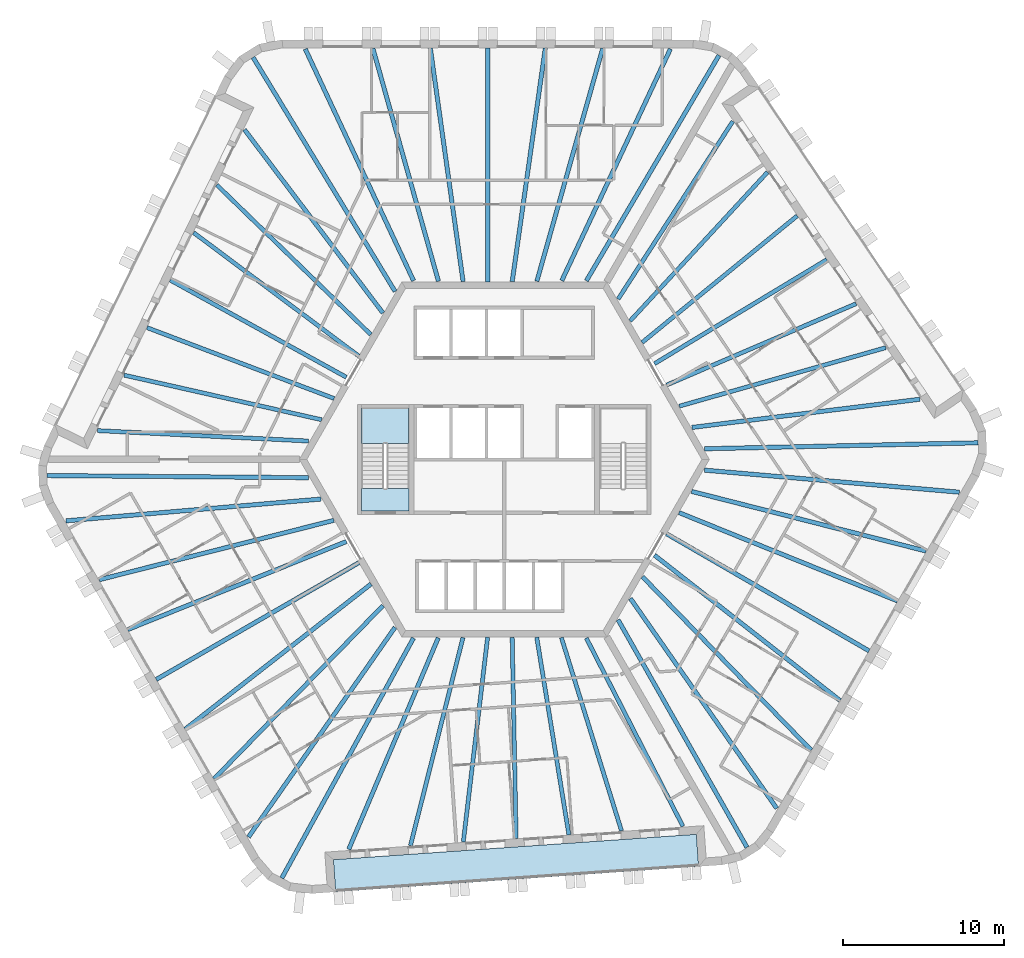
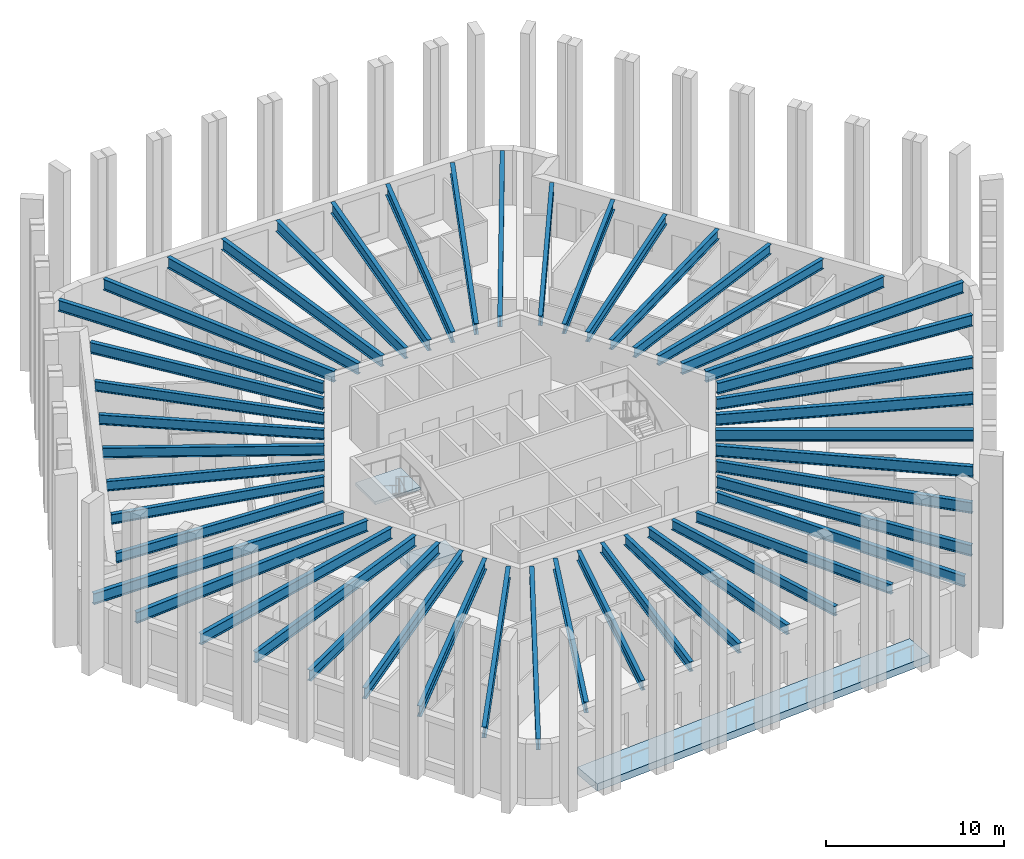
# One storey, part 1 of 13: 48 beams, 3 slabs, 1 element without a shape of its own.
"""IFC4 building model written with IfcOpenShell, lengths in metres."""

from ifc_helpers import new_model, si_unit, direction, frame, origin, origin_2d, place, context, subcontext, project, spatial, polyline, i_section, outline, extrude, material, layer, layer_set, material_profile, profile_set, type_object, element, aggregate, save


model = new_model("IFC4")

# Units and contexts
model_context = context("Model", 3, precision=1e-05, world=origin(), true_north=direction((0.0, 1.0)))
body_context = subcontext(model_context, "Body", "Model", "MODEL_VIEW")
ifc_project = project(units=[si_unit("LENGTHUNIT", "METRE"), si_unit("AREAUNIT", "SQUARE_METRE"), si_unit("VOLUMEUNIT", "CUBIC_METRE"), si_unit("PLANEANGLEUNIT", "RADIAN"), si_unit("MASSUNIT", "GRAM", prefix="KILO")], contexts=[model_context])

# Site, building, storey
site_placement = place(None, origin())
site = spatial("IfcSite", under=ifc_project, at=site_placement, CompositionType="ELEMENT")
building_placement = place(site_placement, origin())
building = spatial("IfcBuilding", under=site, at=building_placement, Name="Tarnside Tower", CompositionType="ELEMENT")
storey_placement = place(building_placement, frame((0.0, 0.0, 256.199951171875)))
storey = spatial("IfcBuildingStorey", under=building, at=storey_placement, Name="L61", CompositionType="ELEMENT", Elevation=256.199951171875)

# Beams
ifc_material_1 = material(Name="Steel S355", Category="steel")
ifc_material_profile_1 = material_profile(ifc_material_1, i_section(OverallWidth=0.2529296875, OverallDepth=0.677978515625, WebThickness=0.01171875, FlangeThickness=0.01611328125, FilletRadius=0.01513671875, at=origin_2d()), Name="UB 686x254x125")
ifc_profile_set_1 = profile_set([ifc_material_profile_1], Name="Steel S355")
beam_type_1 = type_object("IfcBeamType", Name="Floor beam UB 686x254x125", PredefinedType="BEAM", material=ifc_profile_set_1)
beam_1_placement = place(storey_placement, frame((-17.811279296875, 17.002197265625, 3.4111328125), z_axis=(0.717190986424, -0.696876666988, 0.0), x_axis=(0.696876666988, 0.717190986424, 0.0)))
element("IfcBeam", 1, at=beam_1_placement, inside=storey, type_object=beam_type_1, Name="Floor beam F2.02", PredefinedType="BEAM", context=body_context, shape_type="SweptSolid", body=[
    extrude(i_section(OverallWidth=0.2529296875, OverallDepth=0.677978515625, WebThickness=0.01171875, FlangeThickness=0.01611328125, FilletRadius=0.01513671875, at=origin_2d()), origin(), (0.0, 0.0, 1.0), 13.2919921875),
])
beam_2_placement = place(storey_placement, frame((-19.25, 14.0498046875, 3.4111328125), z_axis=(0.801006417676, -0.598655759883, 0.0), x_axis=(0.598655759883, 0.801006417676, 0.0)))
element("IfcBeam", 2, at=beam_2_placement, inside=storey, type_object=beam_type_1, Name="Floor beam F2.03", PredefinedType="BEAM", context=body_context, shape_type="SweptSolid", body=[
    extrude(i_section(OverallWidth=0.2529296875, OverallDepth=0.677978515625, WebThickness=0.01171875, FlangeThickness=0.01611328125, FilletRadius=0.01513671875, at=origin_2d()), origin(), (0.0, 0.0, 1.0), 12.764892578125),
])
beam_3_placement = place(storey_placement, frame((-20.70458984375, 11.111572265625, 3.4111328125), z_axis=(0.875666768762, -0.482915841619, 0.0), x_axis=(0.482915841619, 0.875666768762, 0.0)))
element("IfcBeam", 3, at=beam_3_placement, inside=storey, type_object=beam_type_1, Name="Floor beam F2.04", PredefinedType="BEAM", context=body_context, shape_type="SweptSolid", body=[
    extrude(i_section(OverallWidth=0.2529296875, OverallDepth=0.677978515625, WebThickness=0.01171875, FlangeThickness=0.01611328125, FilletRadius=0.01513671875, at=origin_2d()), origin(), (0.0, 0.0, 1.0), 12.468994140625),
])
beam_4_placement = place(storey_placement, frame((-22.141357421875, 8.165771484375, 3.4111328125), z_axis=(0.935116350489, -0.354340811998, 0.0), x_axis=(0.354340811998, 0.935116350489, 0.0)))
element("IfcBeam", 4, at=beam_4_placement, inside=storey, type_object=beam_type_1, Name="Floor beam F2.05", PredefinedType="BEAM", context=body_context, shape_type="SweptSolid", body=[
    extrude(i_section(OverallWidth=0.2529296875, OverallDepth=0.677978515625, WebThickness=0.01171875, FlangeThickness=0.01611328125, FilletRadius=0.01513671875, at=origin_2d()), origin(), (0.0, 0.0, 1.0), 12.399169921875),
])
beam_5_placement = place(storey_placement, frame((-23.556884765625, 5.2197265625, 3.4111328125), z_axis=(0.975445185376, -0.220242344534, 0.0), x_axis=(0.220242344534, 0.975445185376, 0.0)))
element("IfcBeam", 5, at=beam_5_placement, inside=storey, type_object=beam_type_1, Name="Floor beam F2.06", PredefinedType="BEAM", context=body_context, shape_type="SweptSolid", body=[
    extrude(i_section(OverallWidth=0.2529296875, OverallDepth=0.677978515625, WebThickness=0.01171875, FlangeThickness=0.01611328125, FilletRadius=0.01513671875, at=origin_2d()), origin(), (0.0, 0.0, 1.0), 12.538330078125),
])
beam_6_placement = place(storey_placement, frame((-25.214599609375, 1.7841796875, 3.4111328125), z_axis=(0.998783137237, -0.049317793651, 0.0), x_axis=(0.049317793651, 0.998783137237, 0.0)))
element("IfcBeam", 6, at=beam_6_placement, inside=storey, type_object=beam_type_1, Name="Floor beam F2.07", PredefinedType="BEAM", context=body_context, shape_type="SweptSolid", body=[
    extrude(i_section(OverallWidth=0.2529296875, OverallDepth=0.677978515625, WebThickness=0.01171875, FlangeThickness=0.01611328125, FilletRadius=0.01513671875, at=origin_2d()), origin(), (0.0, 0.0, 1.0), 13.103515625),
])
beam_7_placement = place(storey_placement, frame((-5.818603515625, -23.92626953125, 3.4111328125), z_axis=(0.244907502604, 0.969546448175, 0.0), x_axis=(-0.969546448175, 0.244907502604, 0.0)))
element("IfcBeam", 7, at=beam_7_placement, inside=storey, type_object=beam_type_1, Name="Floor beam F4.02", PredefinedType="BEAM", context=body_context, shape_type="SweptSolid", body=[
    extrude(i_section(OverallWidth=0.2529296875, OverallDepth=0.677978515625, WebThickness=0.01171875, FlangeThickness=0.01611328125, FilletRadius=0.01513671875, at=origin_2d()), origin(), (0.0, 0.0, 1.0), 13.292236328125),
])
beam_8_placement = place(storey_placement, frame((-2.54248046875, -23.69580078125, 3.4111328125), z_axis=(0.117949762105, 0.993019563563, 0.0), x_axis=(-0.993019563563, 0.117949762105, 0.0)))
element("IfcBeam", 8, at=beam_8_placement, inside=storey, type_object=beam_type_1, Name="Floor beam F4.03", PredefinedType="BEAM", context=body_context, shape_type="SweptSolid", body=[
    extrude(i_section(OverallWidth=0.2529296875, OverallDepth=0.677978515625, WebThickness=0.01171875, FlangeThickness=0.01611328125, FilletRadius=0.01513671875, at=origin_2d()), origin(), (0.0, 0.0, 1.0), 12.764892578125),
])
beam_9_placement = place(storey_placement, frame((0.7294921875, -23.486328125, 3.4111328125), z_axis=(-0.019619426101, 0.999807520536, 0.0), x_axis=(-0.999807520536, -0.019619426101, 0.0)))
element("IfcBeam", 9, at=beam_9_placement, inside=storey, type_object=beam_type_1, Name="Floor beam F4.04", PredefinedType="BEAM", context=body_context, shape_type="SweptSolid", body=[
    extrude(i_section(OverallWidth=0.2529296875, OverallDepth=0.677978515625, WebThickness=0.01171875, FlangeThickness=0.01611328125, FilletRadius=0.01513671875, at=origin_2d()), origin(), (0.0, 0.0, 1.0), 12.46875),
])
beam_10_placement = place(storey_placement, frame((3.9990234375, -23.2578125, 3.4111328125), z_axis=(-0.160690769029, 0.987004800773, 0.0), x_axis=(-0.987004800773, -0.160690769029, 0.0)))
element("IfcBeam", 10, at=beam_10_placement, inside=storey, type_object=beam_type_1, Name="Floor beam F4.05", PredefinedType="BEAM", context=body_context, shape_type="SweptSolid", body=[
    extrude(i_section(OverallWidth=0.2529296875, OverallDepth=0.677978515625, WebThickness=0.01171875, FlangeThickness=0.01611328125, FilletRadius=0.01513671875, at=origin_2d()), origin(), (0.0, 0.0, 1.0), 12.399169921875),
])
beam_11_placement = place(storey_placement, frame((7.258056640625, -23.0107421875, 3.4111328125), z_axis=(-0.296997512057, 0.954878252885, 0.0), x_axis=(-0.954878252885, -0.296997512057, 0.0)))
element("IfcBeam", 11, at=beam_11_placement, inside=storey, type_object=beam_type_1, Name="Floor beam F4.06", PredefinedType="BEAM", context=body_context, shape_type="SweptSolid", body=[
    extrude(i_section(OverallWidth=0.2529296875, OverallDepth=0.677978515625, WebThickness=0.01171875, FlangeThickness=0.01611328125, FilletRadius=0.01513671875, at=origin_2d()), origin(), (0.0, 0.0, 1.0), 12.538330078125),
])
beam_12_placement = place(storey_placement, frame((11.06201171875, -22.728515625, 3.4111328125), z_axis=(-0.456683143477, 0.889629420862, 0.0), x_axis=(-0.889629420862, -0.456683143477, 0.0)))
element("IfcBeam", 12, at=beam_12_placement, inside=storey, type_object=beam_type_1, Name="Floor beam F4.07", PredefinedType="BEAM", context=body_context, shape_type="SweptSolid", body=[
    extrude(i_section(OverallWidth=0.2529296875, OverallDepth=0.677978515625, WebThickness=0.01171875, FlangeThickness=0.01611328125, FilletRadius=0.01513671875, at=origin_2d()), origin(), (0.0, 0.0, 1.0), 13.103515625),
])
beam_13_placement = place(storey_placement, frame((23.6298828125, 6.924072265625, 3.4111328125), z_axis=(-0.962104001021, -0.272682766636, 0.0), x_axis=(0.272682766636, -0.962104001021, 0.0)))
element("IfcBeam", 13, at=beam_13_placement, inside=storey, type_object=beam_type_1, Name="Floor beam F6.02", PredefinedType="BEAM", context=body_context, shape_type="SweptSolid", body=[
    extrude(i_section(OverallWidth=0.2529296875, OverallDepth=0.677978515625, WebThickness=0.01171875, FlangeThickness=0.01611328125, FilletRadius=0.01513671875, at=origin_2d()), origin(), (0.0, 0.0, 1.0), 13.2919921875),
])
beam_14_placement = place(storey_placement, frame((21.792236328125, 9.64599609375, 3.4111328125), z_axis=(-0.918954980534, -0.394362452258, 0.0), x_axis=(0.394362452258, -0.918954980534, 0.0)))
element("IfcBeam", 14, at=beam_14_placement, inside=storey, type_object=beam_type_1, Name="Floor beam F6.03", PredefinedType="BEAM", context=body_context, shape_type="SweptSolid", body=[
    extrude(i_section(OverallWidth=0.2529296875, OverallDepth=0.677978515625, WebThickness=0.01171875, FlangeThickness=0.01611328125, FilletRadius=0.01513671875, at=origin_2d()), origin(), (0.0, 0.0, 1.0), 12.7646484375),
])
beam_15_placement = place(storey_placement, frame((19.97509765625, 12.375, 3.4111328125), z_axis=(-0.856046953876, -0.516898068055, 0.0), x_axis=(0.516898068055, -0.856046953876, 0.0)))
element("IfcBeam", 15, at=beam_15_placement, inside=storey, type_object=beam_type_1, Name="Floor beam F6.04", PredefinedType="BEAM", context=body_context, shape_type="SweptSolid", body=[
    extrude(i_section(OverallWidth=0.2529296875, OverallDepth=0.677978515625, WebThickness=0.01171875, FlangeThickness=0.01611328125, FilletRadius=0.01513671875, at=origin_2d()), origin(), (0.0, 0.0, 1.0), 12.46875),
])
beam_16_placement = place(storey_placement, frame((18.142333984375, 15.092041015625, 3.4111328125), z_axis=(-0.774438707576, -0.632648945473, 0.0), x_axis=(0.632648945473, -0.774438707576, 0.0)))
element("IfcBeam", 16, at=beam_16_placement, inside=storey, type_object=beam_type_1, Name="Floor beam F6.05", PredefinedType="BEAM", context=body_context, shape_type="SweptSolid", body=[
    extrude(i_section(OverallWidth=0.2529296875, OverallDepth=0.677978515625, WebThickness=0.01171875, FlangeThickness=0.01611328125, FilletRadius=0.01513671875, at=origin_2d()), origin(), (0.0, 0.0, 1.0), 12.39892578125),
])
beam_17_placement = place(storey_placement, frame((16.299072265625, 17.791015625, 3.4111328125), z_axis=(-0.67846123451, -0.734636204708, 0.0), x_axis=(0.734636204708, -0.67846123451, 0.0)))
element("IfcBeam", 17, at=beam_17_placement, inside=storey, type_object=beam_type_1, Name="Floor beam F6.06", PredefinedType="BEAM", context=body_context, shape_type="SweptSolid", body=[
    extrude(i_section(OverallWidth=0.2529296875, OverallDepth=0.677978515625, WebThickness=0.01171875, FlangeThickness=0.01611328125, FilletRadius=0.01513671875, at=origin_2d()), origin(), (0.0, 0.0, 1.0), 12.538330078125),
])
beam_18_placement = place(storey_placement, frame((14.152587890625, 20.9443359375, 3.4111328125), z_axis=(-0.54209970956, -0.840314170352, 0.0), x_axis=(0.840314170352, -0.54209970956, 0.0)))
element("IfcBeam", 18, at=beam_18_placement, inside=storey, type_object=beam_type_1, Name="Floor beam F6.07", PredefinedType="BEAM", context=body_context, shape_type="SweptSolid", body=[
    extrude(i_section(OverallWidth=0.2529296875, OverallDepth=0.677978515625, WebThickness=0.01171875, FlangeThickness=0.01611328125, FilletRadius=0.01513671875, at=origin_2d()), origin(), (0.0, 0.0, 1.0), 13.103759765625),
])
ifc_material_profile_2 = material_profile(ifc_material_1, i_section(OverallWidth=0.26513671875, OverallDepth=0.75390625, WebThickness=0.0126953125, FlangeThickness=0.017578125, FilletRadius=0.0166015625, at=origin_2d()), Name="UB 762x267x147")
ifc_profile_set_2 = profile_set([ifc_material_profile_2], Name="Steel S355")
beam_type_2 = type_object("IfcBeamType", Name="Floor beam UB 762x267x147", PredefinedType="BEAM", material=ifc_profile_set_2)
beam_19_placement = place(storey_placement, frame((6.093505859375, 25.46142578125, 3.373046875), z_axis=(-0.272147186115, -0.962255636039, 0.0), x_axis=(0.962255636039, -0.272147186115, 0.0)))
element("IfcBeam", 19, at=beam_19_placement, inside=storey, type_object=beam_type_2, Name="Floor beam F1.02", PredefinedType="BEAM", context=body_context, shape_type="SweptSolid", body=[
    extrude(i_section(OverallWidth=0.26513671875, OverallDepth=0.75390625, WebThickness=0.0126953125, FlangeThickness=0.017578125, FilletRadius=0.0166015625, at=origin_2d()), origin(), (0.0, 0.0, 1.0), 14.988525390625),
])
beam_20_placement = place(storey_placement, frame((2.537109375, 25.480224609375, 3.373046875), z_axis=(-0.140349428967, -0.990102034029, 0.0), x_axis=(0.990102034029, -0.140349428967, 0.0)))
element("IfcBeam", 20, at=beam_20_placement, inside=storey, type_object=beam_type_2, Name="Floor beam F1.03", PredefinedType="BEAM", context=body_context, shape_type="SweptSolid", body=[
    extrude(i_section(OverallWidth=0.26513671875, OverallDepth=0.75390625, WebThickness=0.0126953125, FlangeThickness=0.017578125, FilletRadius=0.0166015625, at=origin_2d()), origin(), (0.0, 0.0, 1.0), 14.60498046875),
])
beam_21_placement = place(storey_placement, frame((-1.02490234375, 25.5, 3.373046875), z_axis=(-0.000656653953, -0.999999784403, 0.0), x_axis=(0.999999784403, -0.000656653953, 0.0)))
element("IfcBeam", 21, at=beam_21_placement, inside=storey, type_object=beam_type_2, Name="Floor beam F1.04", PredefinedType="BEAM", context=body_context, shape_type="SweptSolid", body=[
    extrude(i_section(OverallWidth=0.26513671875, OverallDepth=0.75390625, WebThickness=0.0126953125, FlangeThickness=0.017578125, FilletRadius=0.0166015625, at=origin_2d()), origin(), (0.0, 0.0, 1.0), 14.5),
])
beam_22_placement = place(storey_placement, frame((-4.5869140625, 25.480224609375, 3.373046875), z_axis=(0.139070897001, -0.990282427193, 0.0), x_axis=(0.990282427193, 0.139070897001, 0.0)))
element("IfcBeam", 22, at=beam_22_placement, inside=storey, type_object=beam_type_2, Name="Floor beam F1.05", PredefinedType="BEAM", context=body_context, shape_type="SweptSolid", body=[
    extrude(i_section(OverallWidth=0.26513671875, OverallDepth=0.75390625, WebThickness=0.0126953125, FlangeThickness=0.017578125, FilletRadius=0.0166015625, at=origin_2d()), origin(), (0.0, 0.0, 1.0), 14.602294921875),
])
beam_23_placement = place(storey_placement, frame((-8.1435546875, 25.46142578125, 3.373046875), z_axis=(0.270985274434, -0.962583493023, 0.0), x_axis=(0.962583493023, 0.270985274434, 0.0)))
element("IfcBeam", 23, at=beam_23_placement, inside=storey, type_object=beam_type_2, Name="Floor beam F1.06", PredefinedType="BEAM", context=body_context, shape_type="SweptSolid", body=[
    extrude(i_section(OverallWidth=0.26513671875, OverallDepth=0.75390625, WebThickness=0.0126953125, FlangeThickness=0.017578125, FilletRadius=0.0166015625, at=origin_2d()), origin(), (0.0, 0.0, 1.0), 14.9833984375),
])
beam_24_placement = place(storey_placement, frame((-16.101318359375, 20.43212890625, 3.373046875), z_axis=(0.602566097863, -0.798068980543, 0.0), x_axis=(0.798068980543, 0.602566097863, 0.0)))
element("IfcBeam", 24, at=beam_24_placement, inside=storey, type_object=beam_type_2, Name="Floor beam F2.01", PredefinedType="BEAM", context=body_context, shape_type="SweptSolid", body=[
    extrude(i_section(OverallWidth=0.26513671875, OverallDepth=0.75390625, WebThickness=0.0126953125, FlangeThickness=0.017578125, FilletRadius=0.0166015625, at=origin_2d()), origin(), (0.0, 0.0, 1.0), 14.231201171875),
])
beam_25_placement = place(storey_placement, frame((-25.09716796875, -7.45361328125, 3.373046875), z_axis=(0.969413823687, 0.245431942592, 0.0), x_axis=(-0.245431942592, 0.969413823687, 0.0)))
element("IfcBeam", 25, at=beam_25_placement, inside=storey, type_object=beam_type_2, Name="Floor beam F3.02", PredefinedType="BEAM", context=body_context, shape_type="SweptSolid", body=[
    extrude(i_section(OverallWidth=0.26513671875, OverallDepth=0.75390625, WebThickness=0.0126953125, FlangeThickness=0.017578125, FilletRadius=0.0166015625, at=origin_2d()), origin(), (0.0, 0.0, 1.0), 14.98876953125),
])
beam_26_placement = place(storey_placement, frame((-23.3349609375, -10.54296875, 3.373046875), z_axis=(0.927625766949, 0.373510958998, 0.0), x_axis=(-0.373510958998, 0.927625766949, 0.0)))
element("IfcBeam", 26, at=beam_26_placement, inside=storey, type_object=beam_type_2, Name="Floor beam F3.03", PredefinedType="BEAM", context=body_context, shape_type="SweptSolid", body=[
    extrude(i_section(OverallWidth=0.26513671875, OverallDepth=0.75390625, WebThickness=0.0126953125, FlangeThickness=0.017578125, FilletRadius=0.0166015625, at=origin_2d()), origin(), (0.0, 0.0, 1.0), 14.60498046875),
])
beam_27_placement = place(storey_placement, frame((-21.5712890625, -13.6376953125, 3.373046875), z_axis=(0.866357363831, 0.499424587036, 0.0), x_axis=(-0.499424587036, 0.866357363831, 0.0)))
element("IfcBeam", 27, at=beam_27_placement, inside=storey, type_object=beam_type_2, Name="Floor beam F3.04", PredefinedType="BEAM", context=body_context, shape_type="SweptSolid", body=[
    extrude(i_section(OverallWidth=0.26513671875, OverallDepth=0.75390625, WebThickness=0.0126953125, FlangeThickness=0.017578125, FilletRadius=0.0166015625, at=origin_2d()), origin(), (0.0, 0.0, 1.0), 14.5),
])
beam_28_placement = place(storey_placement, frame((-19.77294921875, -16.71240234375, 3.373046875), z_axis=(0.788074813552, 0.615579473541, 0.0), x_axis=(-0.615579473541, 0.788074813552, 0.0)))
element("IfcBeam", 28, at=beam_28_placement, inside=storey, type_object=beam_type_2, Name="Floor beam F3.05", PredefinedType="BEAM", context=body_context, shape_type="SweptSolid", body=[
    extrude(i_section(OverallWidth=0.26513671875, OverallDepth=0.75390625, WebThickness=0.0126953125, FlangeThickness=0.017578125, FilletRadius=0.0166015625, at=origin_2d()), origin(), (0.0, 0.0, 1.0), 14.60205078125),
])
beam_29_placement = place(storey_placement, frame((-17.978515625, -19.783203125, 3.373046875), z_axis=(0.698129580508, 0.71597143017, 0.0), x_axis=(-0.71597143017, 0.698129580508, 0.0)))
element("IfcBeam", 29, at=beam_29_placement, inside=storey, type_object=beam_type_2, Name="Floor beam F3.06", PredefinedType="BEAM", context=body_context, shape_type="SweptSolid", body=[
    extrude(i_section(OverallWidth=0.26513671875, OverallDepth=0.75390625, WebThickness=0.0126953125, FlangeThickness=0.017578125, FilletRadius=0.0166015625, at=origin_2d()), origin(), (0.0, 0.0, 1.0), 14.983642578125),
])
beam_30_placement = place(storey_placement, frame((-9.64404296875, -24.160400390625, 3.373046875), z_axis=(0.389873911801, 0.920868249478, 0.0), x_axis=(-0.920868249478, 0.389873911801, 0.0)))
element("IfcBeam", 30, at=beam_30_placement, inside=storey, type_object=beam_type_2, Name="Floor beam F4.01", PredefinedType="BEAM", context=body_context, shape_type="SweptSolid", body=[
    extrude(i_section(OverallWidth=0.26513671875, OverallDepth=0.75390625, WebThickness=0.0126953125, FlangeThickness=0.017578125, FilletRadius=0.0166015625, at=origin_2d()), origin(), (0.0, 0.0, 1.0), 14.231201171875),
])
beam_31_placement = place(storey_placement, frame((19.00341796875, -18.008056640625, 3.373046875), z_axis=(-0.697249797022, 0.716828236437, 0.0), x_axis=(-0.716828236437, -0.697249797022, 0.0)))
element("IfcBeam", 31, at=beam_31_placement, inside=storey, type_object=beam_type_2, Name="Floor beam F5.02", PredefinedType="BEAM", context=body_context, shape_type="SweptSolid", body=[
    extrude(i_section(OverallWidth=0.26513671875, OverallDepth=0.75390625, WebThickness=0.0126953125, FlangeThickness=0.017578125, FilletRadius=0.0166015625, at=origin_2d()), origin(), (0.0, 0.0, 1.0), 14.98876953125),
])
beam_32_placement = place(storey_placement, frame((20.798095703125, -14.937255859375, 3.373046875), z_axis=(-0.787282014804, 0.616593082321, 0.0), x_axis=(-0.616593082321, -0.787282014804, 0.0)))
element("IfcBeam", 32, at=beam_32_placement, inside=storey, type_object=beam_type_2, Name="Floor beam F5.03", PredefinedType="BEAM", context=body_context, shape_type="SweptSolid", body=[
    extrude(i_section(OverallWidth=0.26513671875, OverallDepth=0.75390625, WebThickness=0.0126953125, FlangeThickness=0.017578125, FilletRadius=0.0166015625, at=origin_2d()), origin(), (0.0, 0.0, 1.0), 14.60498046875),
])
beam_33_placement = place(storey_placement, frame((22.59619140625, -11.8623046875, 3.373046875), z_axis=(-0.865697438889, 0.500567622106, 0.0), x_axis=(-0.500567622106, -0.865697438889, 0.0)))
element("IfcBeam", 33, at=beam_33_placement, inside=storey, type_object=beam_type_2, Name="Floor beam F5.04", PredefinedType="BEAM", context=body_context, shape_type="SweptSolid", body=[
    extrude(i_section(OverallWidth=0.26513671875, OverallDepth=0.75390625, WebThickness=0.0126953125, FlangeThickness=0.017578125, FilletRadius=0.0166015625, at=origin_2d()), origin(), (0.0, 0.0, 1.0), 14.500244140625),
])
beam_34_placement = place(storey_placement, frame((24.35986328125, -8.767578125, 3.373046875), z_axis=(-0.927145907531, 0.374700501933, 0.0), x_axis=(-0.374700501933, -0.927145907531, 0.0)))
element("IfcBeam", 34, at=beam_34_placement, inside=storey, type_object=beam_type_2, Name="Floor beam F5.05", PredefinedType="BEAM", context=body_context, shape_type="SweptSolid", body=[
    extrude(i_section(OverallWidth=0.26513671875, OverallDepth=0.75390625, WebThickness=0.0126953125, FlangeThickness=0.017578125, FilletRadius=0.0166015625, at=origin_2d()), origin(), (0.0, 0.0, 1.0), 14.60205078125),
])
beam_35_placement = place(storey_placement, frame((26.1220703125, -5.67822265625, 3.373046875), z_axis=(-0.969115089144, 0.246608888716, 0.0), x_axis=(-0.246608888716, -0.969115089144, 0.0)))
element("IfcBeam", 35, at=beam_35_placement, inside=storey, type_object=beam_type_2, Name="Floor beam F5.06", PredefinedType="BEAM", context=body_context, shape_type="SweptSolid", body=[
    extrude(i_section(OverallWidth=0.26513671875, OverallDepth=0.75390625, WebThickness=0.0126953125, FlangeThickness=0.017578125, FilletRadius=0.0166015625, at=origin_2d()), origin(), (0.0, 0.0, 1.0), 14.9833984375),
])
beam_36_placement = place(storey_placement, frame((25.745361328125, 3.72802734375, 3.373046875), z_axis=(-0.992433598491, -0.122782541866, 0.0), x_axis=(0.122782541866, -0.992433598491, 0.0)))
element("IfcBeam", 36, at=beam_36_placement, inside=storey, type_object=beam_type_2, Name="Floor beam F6.01", PredefinedType="BEAM", context=body_context, shape_type="SweptSolid", body=[
    extrude(i_section(OverallWidth=0.26513671875, OverallDepth=0.75390625, WebThickness=0.0126953125, FlangeThickness=0.017578125, FilletRadius=0.0166015625, at=origin_2d()), origin(), (0.0, 0.0, 1.0), 14.23095703125),
])
ifc_material_profile_3 = material_profile(ifc_material_1, i_section(OverallWidth=0.2666015625, OverallDepth=0.76220703125, WebThickness=0.014404296875, FlangeThickness=0.021484375, FilletRadius=0.0166015625, at=origin_2d()), Name="UB 762x267x173")
ifc_profile_set_3 = profile_set([ifc_material_profile_3], Name="Steel S355")
beam_type_3 = type_object("IfcBeamType", Name="Floor beam UB 762x267x173", PredefinedType="BEAM", material=ifc_profile_set_3)
beam_37_placement = place(storey_placement, frame((10.285400390625, 25.427490234375, 3.368896484375), z_axis=(-0.424439399801, -0.905456346765, 0.0), x_axis=(0.905456346765, -0.424439399801, 0.0)))
element("IfcBeam", 37, at=beam_37_placement, inside=storey, type_object=beam_type_3, Name="Floor beam F1.01", PredefinedType="BEAM", context=body_context, shape_type="SweptSolid", body=[
    extrude(i_section(OverallWidth=0.2666015625, OverallDepth=0.76220703125, WebThickness=0.014404296875, FlangeThickness=0.021484375, FilletRadius=0.0166015625, at=origin_2d()), origin(), (0.0, 0.0, 1.0), 15.853759765625),
])
beam_38_placement = place(storey_placement, frame((-12.335205078125, 25.427490234375, 3.368896484375), z_axis=(0.423453877267, -0.905917663934, 0.0), x_axis=(0.905917663934, 0.423453877267, 0.0)))
element("IfcBeam", 38, at=beam_38_placement, inside=storey, type_object=beam_type_3, Name="Floor beam F1.07", PredefinedType="BEAM", context=body_context, shape_type="SweptSolid", body=[
    extrude(i_section(OverallWidth=0.2666015625, OverallDepth=0.76220703125, WebThickness=0.014404296875, FlangeThickness=0.021484375, FilletRadius=0.0166015625, at=origin_2d()), origin(), (0.0, 0.0, 1.0), 15.845703125),
])
beam_39_placement = place(storey_placement, frame((-15.5703125, 24.91162109375, 3.368896484375), z_axis=(0.518716683755, -0.854946198304, 0.0), x_axis=(0.854946198304, 0.518716683755, 0.0)))
element("IfcBeam", 39, at=beam_39_placement, inside=storey, type_object=beam_type_3, Name="Floor beam C1", PredefinedType="BEAM", context=body_context, shape_type="SweptSolid", body=[
    extrude(i_section(OverallWidth=0.2666015625, OverallDepth=0.76220703125, WebThickness=0.014404296875, FlangeThickness=0.021484375, FilletRadius=0.0166015625, at=origin_2d()), origin(), (0.0, 0.0, 1.0), 16.961181640625),
])
beam_40_placement = place(storey_placement, frame((-28.3291015625, -1.0009765625, 3.368896484375), z_axis=(0.999966651082, -0.008166806173, 0.0), x_axis=(0.008166806173, 0.999966651082, 0.0)))
element("IfcBeam", 40, at=beam_40_placement, inside=storey, type_object=beam_type_3, Name="Floor beam C2", PredefinedType="BEAM", context=body_context, shape_type="SweptSolid", body=[
    extrude(i_section(OverallWidth=0.2666015625, OverallDepth=0.76220703125, WebThickness=0.014404296875, FlangeThickness=0.021484375, FilletRadius=0.0166015625, at=origin_2d()), origin(), (0.0, 0.0, 1.0), 16.20263671875),
])
beam_41_placement = place(storey_placement, frame((-27.16357421875, -3.806396484375, 3.368896484375), z_axis=(0.996367434748, 0.085158293626, 0.0), x_axis=(-0.085158293626, 0.996367434748, 0.0)))
element("IfcBeam", 41, at=beam_41_placement, inside=storey, type_object=beam_type_3, Name="Floor beam F3.01", PredefinedType="BEAM", context=body_context, shape_type="SweptSolid", body=[
    extrude(i_section(OverallWidth=0.2666015625, OverallDepth=0.76220703125, WebThickness=0.014404296875, FlangeThickness=0.021484375, FilletRadius=0.0166015625, at=origin_2d()), origin(), (0.0, 0.0, 1.0), 15.85400390625),
])
beam_42_placement = place(storey_placement, frame((-15.853271484375, -23.396484375, 3.368896484375), z_axis=(0.572816933654, 0.819683329414, 0.0), x_axis=(-0.819683329414, 0.572816933654, 0.0)))
element("IfcBeam", 42, at=beam_42_placement, inside=storey, type_object=beam_type_3, Name="Floor beam F3.07", PredefinedType="BEAM", context=body_context, shape_type="SweptSolid", body=[
    extrude(i_section(OverallWidth=0.2666015625, OverallDepth=0.76220703125, WebThickness=0.014404296875, FlangeThickness=0.021484375, FilletRadius=0.0166015625, at=origin_2d()), origin(), (0.0, 0.0, 1.0), 15.84619140625),
])
beam_43_placement = place(storey_placement, frame((-13.788818359375, -25.93994140625, 3.368896484375), z_axis=(0.481036073107, 0.876700802081, 0.0), x_axis=(-0.876700802081, 0.481036073107, 0.0)))
element("IfcBeam", 43, at=beam_43_placement, inside=storey, type_object=beam_type_3, Name="Floor beam C3", PredefinedType="BEAM", context=body_context, shape_type="SweptSolid", body=[
    extrude(i_section(OverallWidth=0.2666015625, OverallDepth=0.76220703125, WebThickness=0.014404296875, FlangeThickness=0.021484375, FilletRadius=0.0166015625, at=origin_2d()), origin(), (0.0, 0.0, 1.0), 16.961181640625),
])
beam_44_placement = place(storey_placement, frame((15.031494140625, -24.033447265625, 3.368896484375), z_axis=(-0.49290801997, 0.870081423689, 0.0), x_axis=(-0.870081423689, -0.49290801997, 0.0)))
element("IfcBeam", 44, at=beam_44_placement, inside=storey, type_object=beam_type_3, Name="Floor beam C4", PredefinedType="BEAM", context=body_context, shape_type="SweptSolid", body=[
    extrude(i_section(OverallWidth=0.2666015625, OverallDepth=0.76220703125, WebThickness=0.014404296875, FlangeThickness=0.021484375, FilletRadius=0.0166015625, at=origin_2d()), origin(), (0.0, 0.0, 1.0), 16.202880859375),
])
beam_45_placement = place(storey_placement, frame((16.87841796875, -21.62109375, 3.368896484375), z_axis=(-0.571946235641, 0.82029110902, 0.0), x_axis=(-0.82029110902, -0.571946235641, 0.0)))
element("IfcBeam", 45, at=beam_45_placement, inside=storey, type_object=beam_type_3, Name="Floor beam F5.01", PredefinedType="BEAM", context=body_context, shape_type="SweptSolid", body=[
    extrude(i_section(OverallWidth=0.2666015625, OverallDepth=0.76220703125, WebThickness=0.014404296875, FlangeThickness=0.021484375, FilletRadius=0.0166015625, at=origin_2d()), origin(), (0.0, 0.0, 1.0), 15.85400390625),
])
beam_46_placement = place(storey_placement, frame((28.1884765625, -2.03125, 3.368896484375), z_axis=(-0.996273584651, 0.086249316098, 0.0), x_axis=(-0.086249316098, -0.996273584651, 0.0)))
element("IfcBeam", 46, at=beam_46_placement, inside=storey, type_object=beam_type_3, Name="Floor beam F5.07", PredefinedType="BEAM", context=body_context, shape_type="SweptSolid", body=[
    extrude(i_section(OverallWidth=0.2666015625, OverallDepth=0.76220703125, WebThickness=0.014404296875, FlangeThickness=0.021484375, FilletRadius=0.0166015625, at=origin_2d()), origin(), (0.0, 0.0, 1.0), 15.845947265625),
])
beam_47_placement = place(storey_placement, frame((29.359130859375, 1.028564453125, 3.368896484375), z_axis=(-0.999763142455, -0.02176370807, 0.0), x_axis=(0.02176370807, -0.999763142455, 0.0)))
element("IfcBeam", 47, at=beam_47_placement, inside=storey, type_object=beam_type_3, Name="Floor beam C5", PredefinedType="BEAM", context=body_context, shape_type="SweptSolid", body=[
    extrude(i_section(OverallWidth=0.2666015625, OverallDepth=0.76220703125, WebThickness=0.014404296875, FlangeThickness=0.021484375, FilletRadius=0.0166015625, at=origin_2d()), origin(), (0.0, 0.0, 1.0), 16.961181640625),
])
beam_48_placement = place(storey_placement, frame((13.2978515625, 25.0341796875, 3.368896484375), z_axis=(-0.507080048325, -0.861898964259, 0.0), x_axis=(0.861898964259, -0.507080048325, 0.0)))
element("IfcBeam", 48, at=beam_48_placement, inside=storey, type_object=beam_type_3, Name="Floor beam C6", PredefinedType="BEAM", context=body_context, shape_type="SweptSolid", body=[
    extrude(i_section(OverallWidth=0.2666015625, OverallDepth=0.76220703125, WebThickness=0.014404296875, FlangeThickness=0.021484375, FilletRadius=0.0166015625, at=origin_2d()), origin(), (0.0, 0.0, 1.0), 16.20263671875),
])

# Slabs
ifc_material_2 = material(Name="Concrete C60/75", Category="concrete")
ifc_layer_1 = layer(ifc_material_2, 0.5)
ifc_layer_set_1 = layer_set([ifc_layer_1], Name="Core transfer slab C60/75")
slab_type_1 = type_object("IfcSlabType", Name="Core transfer slab C60/75", PredefinedType="FLOOR", material=ifc_layer_set_1)
slab_1_placement = place(storey_placement, frame((0.0, 0.0, -0.5)))
element("IfcSlab", 49, at=slab_1_placement, inside=storey, type_object=slab_type_1, Name="L61 core floor slab 2", PredefinedType="FLOOR", context=body_context, shape_type="SweptSolid", body=[
    extrude(outline(polyline([(-8.85009765625, -3.199951171875), (-8.85009765625, -1.800048828125), (-5.89990234375, -1.800048828125), (-5.89990234375, -3.199951171875), (-8.85009765625, -3.199951171875)])), origin(), (0.0, 0.0, 1.0), 0.5),
])
ifc_material_3 = material(Name="Timber decking", Category="wood")
ifc_layer_2 = layer(ifc_material_3, 0.0400390625)
ifc_material_4 = material(Name="Concrete C60/75 precast", Category="concrete")
ifc_layer_3 = layer(ifc_material_4, 0.4599609375)
ifc_layer_set_2 = layer_set([ifc_layer_2, ifc_layer_3], Name="Loggia deck 500")
slab_type_2 = type_object("IfcSlabType", Name="Loggia deck 500", PredefinedType="FLOOR", material=ifc_layer_set_2)
slab_2_placement = place(storey_placement, frame((0.0, 0.0, -0.5)))
element("IfcSlab", 50, at=slab_2_placement, inside=storey, type_object=slab_type_2, Name="Loggia deck L61 F4", PredefinedType="FLOOR", context=body_context, shape_type="SweptSolid", body=[
    extrude(outline(polyline([(-10.593017578125, -24.79931640625), (11.896728515625, -23.226806640625), (12.036376953125, -25.221923828125), (-10.45361328125, -26.79443359375), (-10.593017578125, -24.79931640625)])), origin(), (0.0, 0.0, 1.0), 0.5),
])

# Stair, slab
ifc_material_5 = material(Name="Concrete C40/50", Category="concrete")
stair_type = type_object("IfcStairType", Name="Exit stair 1400 clear", PredefinedType="HALF_TURN_STAIR", material=ifc_material_5)
stair_placement = place(storey_placement, origin())
stair = element("IfcStair", 51, at=stair_placement, inside=storey, type_object=stair_type, Name="L61 Exit stair 2", PredefinedType="HALF_TURN_STAIR")
ifc_layer_4 = layer(ifc_material_5, 0.199951171875)
ifc_layer_set_3 = layer_set([ifc_layer_4], Name="Stair landing 200 C40/50")
slab_type_3 = type_object("IfcSlabType", Name="Stair landing 200 C40/50", PredefinedType="LANDING", material=ifc_layer_set_3)
slab_3_placement = place(storey_placement, frame((0.0, 0.0, 1.75)))
slab_3 = element("IfcSlab", 52, at=slab_3_placement, type_object=slab_type_3, Name="ST2 landing 1", PredefinedType="LANDING", context=body_context, shape_type="SweptSolid", body=[
    extrude(outline(polyline([(-5.89990234375, 1.0), (-5.89990234375, 3.199951171875), (-8.85009765625, 3.199951171875), (-8.85009765625, 1.0), (-5.89990234375, 1.0)])), origin(), (0.0, 0.0, 1.0), 0.199951171875),
])
aggregate(stair, [slab_3])

save(model, "model.ifc")
